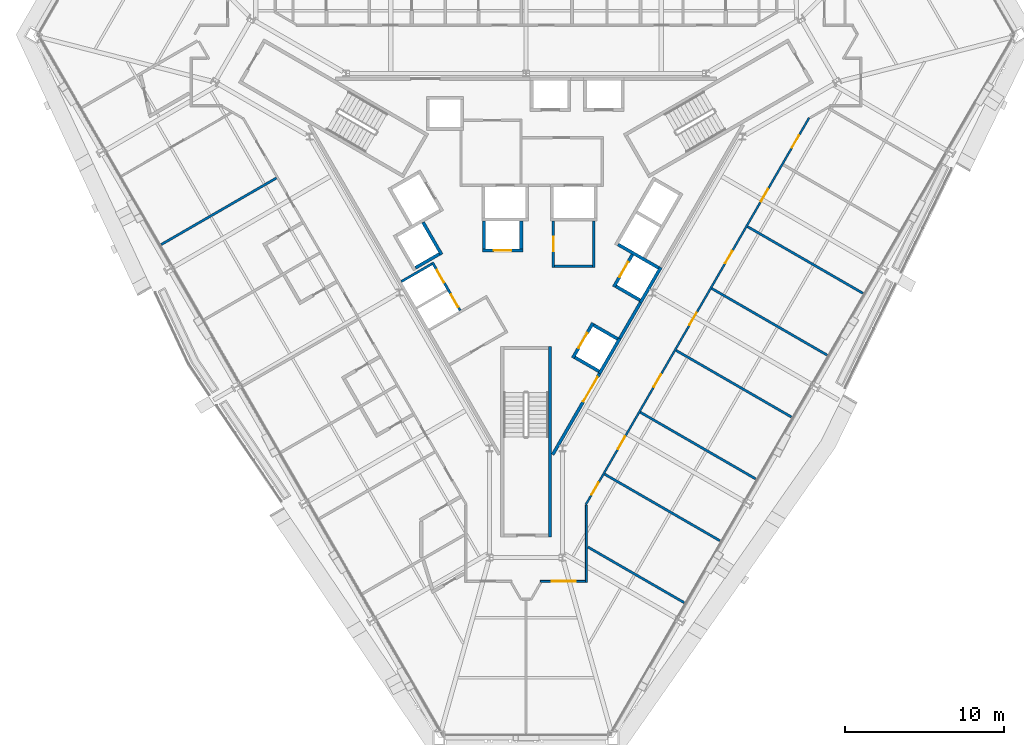
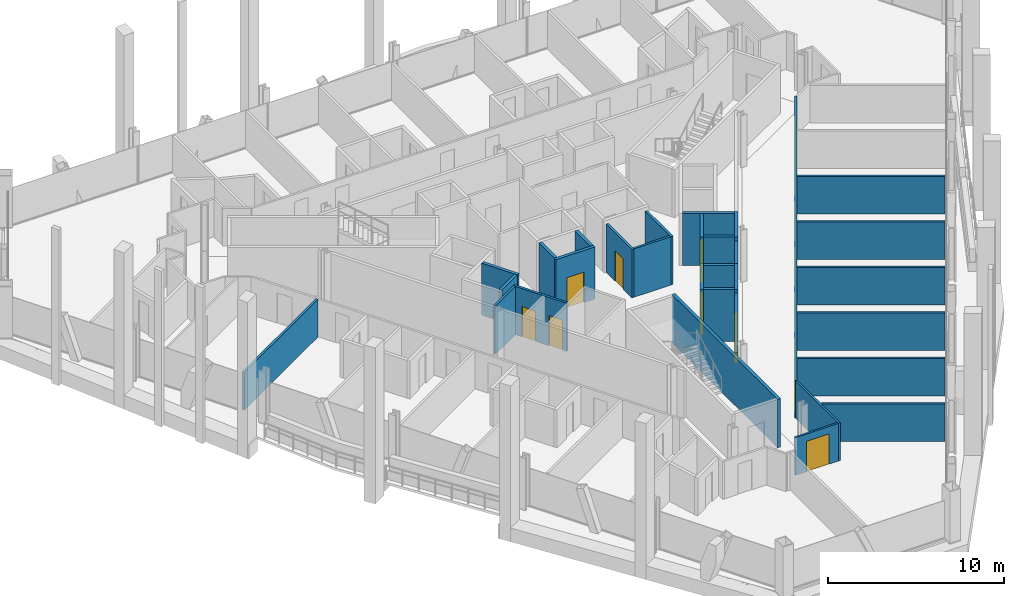
# One storey, part 12 of 18: 31 walls, 15 doors, 15 openings.
"""IFC4 building model written with IfcOpenShell, lengths in metres."""

from ifc_helpers import new_model, si_unit, direction, frame, frame_2d, origin, place, context, subcontext, project, spatial, rectangle, extrude, material, layer, layer_set, type_object, element, fill, save


model = new_model("IFC4")

# Units and contexts
model_context = context("Model", 3, precision=1e-05, world=origin(), true_north=direction((0.0, 1.0)))
body_context = subcontext(model_context, "Body", "Model", "MODEL_VIEW")
ifc_project = project(units=[si_unit("LENGTHUNIT", "METRE"), si_unit("AREAUNIT", "SQUARE_METRE"), si_unit("VOLUMEUNIT", "CUBIC_METRE"), si_unit("PLANEANGLEUNIT", "RADIAN"), si_unit("MASSUNIT", "GRAM", prefix="KILO")], contexts=[model_context])

# Site, building, storey
site_placement = place(None, origin())
site = spatial("IfcSite", under=ifc_project, at=site_placement, CompositionType="ELEMENT")
building_placement = place(site_placement, origin())
building = spatial("IfcBuilding", under=site, at=building_placement, Name="Verrane Prism Tower", CompositionType="ELEMENT")
storey_placement = place(building_placement, frame((0.0, 0.0, 47.60009765625)))
storey = spatial("IfcBuildingStorey", under=building, at=storey_placement, Name="L09", CompositionType="ELEMENT", Elevation=47.60009765625)

# Wall, opening, door
ifc_material_1 = material(Name="Gypsum board partition", Category="other")
ifc_layer_1 = layer(ifc_material_1, 0.199951171875)
ifc_layer_set_1 = layer_set([ifc_layer_1], Name="CW-200 core boundary wall 2 h")
wall_type_1 = type_object("IfcWallType", Name="CW-200 core boundary wall 2 h", PredefinedType="PARTITIONING", material=ifc_layer_set_1)
wall_1_placement = place(storey_placement, frame((1.677490234375, -14.814697265625, 0.0), z_axis=(0.0, 0.0, 1.0), x_axis=(0.49999445743, 0.866028603765, 0.0)))
wall_1 = element("IfcWall", 1, at=wall_1_placement, inside=storey, type_object=wall_type_1, Name="Core boundary wall CW3-003", PredefinedType="PARTITIONING", context=body_context, shape_type="SweptSolid", body=[
    extrude(rectangle(XDim=5.90478515625, YDim=0.199951171875, at=frame_2d((2.952392578125, 0.0))), origin(), (0.0, 0.0, 1.0), 3.349853515625),
])
opening_1_placement = place(wall_1_placement, frame((3.85498046875, 0.0, 0.0)))
opening_1 = element("IfcOpeningElement", 2, at=opening_1_placement, cuts=wall_1, Name="Opening D09517", PredefinedType="OPENING", context=body_context, shape_type="SweptSolid", body=[
    extrude(rectangle(XDim=1.800048828125, YDim=2.10009765625, at=frame_2d((0.89990234375, 1.050048828125))), frame((0.0, 0.10986328125, 0.0), z_axis=(0.0, -1.0, 0.0), x_axis=(1.0, 0.0, 0.0)), (0.0, 0.0, 1.0), 0.219970703125),
])
ifc_material_2 = material(Name="Timber veneered door leaf", Category="wood")
door_type_1 = type_object("IfcDoorType", Name="DR-1800x2100 FD60 double leaf lift lobby", OperationType="NOTDEFINED", PredefinedType="DOOR", material=ifc_material_2)
door_1_placement = place(opening_1_placement, origin())
door_1 = element("IfcDoor", 3, at=door_1_placement, inside=storey, type_object=door_type_1, Name="Lift lobby door D09517", OperationType="DOUBLE_DOOR_SINGLE_SWING", OverallHeight=2.10009765625, OverallWidth=1.800048828125, PredefinedType="DOOR", context=body_context, shape_type="SweptSolid", body=[
    extrude(rectangle(XDim=1.800048828125, YDim=2.10009765625, at=frame_2d((0.89990234375, 1.050048828125))), frame((0.0, 0.02490234375, 0.0), z_axis=(0.0, -1.0, 0.0), x_axis=(1.0, 0.0, 0.0)), (0.0, 0.0, 1.0), 0.050048828125),
])
fill(opening_1, door_1)

# Walls
wall_2_placement = place(storey_placement, frame((5.906005859375, -7.489990234375, 0.0), z_axis=(0.0, 0.0, 1.0), x_axis=(0.500252727967, 0.865879442048, 0.0)))
element("IfcWall", 4, at=wall_2_placement, inside=storey, type_object=wall_type_1, Name="Core boundary wall CW3-005", PredefinedType="PARTITIONING", context=body_context, shape_type="SweptSolid", body=[
    extrude(rectangle(XDim=2.616943359375, YDim=0.199951171875, at=frame_2d((1.30859375, 0.0))), origin(), (0.0, 0.0, 1.0), 3.349853515625),
])
ifc_material_3 = material(Name="Concrete C40/50", Category="concrete")
ifc_layer_2 = layer(ifc_material_3, 0.199951171875)
ifc_layer_set_2 = layer_set([ifc_layer_2], Name="CW-200 stair core wall concrete C40/50 3 h")
wall_type_2 = type_object("IfcWallType", Name="CW-200 stair core wall concrete C40/50 3 h", PredefinedType="PARTITIONING", material=ifc_layer_set_2)
wall_3_placement = place(storey_placement, frame((1.5, -8.0, 0.0), z_axis=(0.0, 0.0, 1.0), x_axis=(0.0, -1.0, 0.0)))
element("IfcWall", 5, at=wall_3_placement, inside=storey, type_object=wall_type_2, Name="Stair 3 enclosure wall", PredefinedType="PARTITIONING", context=body_context, shape_type="SweptSolid", body=[
    extrude(rectangle(XDim=12.0, YDim=0.199951171875, at=frame_2d((6.0, 0.0))), origin(), (0.0, 0.0, 1.0), 3.349853515625),
])

# Wall, opening, door
ifc_material_4 = material(Name="Gypsum board shaft wall assembly", Category="other")
ifc_layer_3 = layer(ifc_material_4, 0.199951171875)
ifc_layer_set_3 = layer_set([ifc_layer_3], Name="HW-200 lift shaft wall 2 h")
wall_type_3 = type_object("IfcWallType", Name="HW-200 lift shaft wall 2 h", PredefinedType="PARTITIONING", material=ifc_layer_set_3)
wall_4_placement = place(storey_placement, frame((-2.7548828125, -1.949951171875, 0.0), z_axis=(0.0, 0.0, 1.0), x_axis=(1.0, 0.0, 0.0)))
wall_4 = element("IfcWall", 6, at=wall_4_placement, inside=storey, type_object=wall_type_3, Name="Lift shaft wall", PredefinedType="PARTITIONING", context=body_context, shape_type="SweptSolid", body=[
    extrude(rectangle(XDim=2.5498046875, YDim=0.199951171875, at=frame_2d((1.27490234375, 0.0))), origin(), (0.0, 0.0, 1.0), 3.599853515625),
])
opening_2_placement = place(wall_4_placement, frame((0.72509765625, 0.0, 0.0)))
opening_2 = element("IfcOpeningElement", 7, at=opening_2_placement, cuts=wall_4, Name="Opening D09504", PredefinedType="OPENING", context=body_context, shape_type="SweptSolid", body=[
    extrude(rectangle(XDim=1.10009765625, YDim=2.10009765625, at=frame_2d((0.550048828125, 1.050048828125))), frame((0.0, 0.10986328125, 0.0), z_axis=(0.0, -1.0, 0.0), x_axis=(1.0, 0.0, 0.0)), (0.0, 0.0, 1.0), 0.219970703125),
])
ifc_material_5 = material(Name="Stainless steel sliding landing door", Category="steel")
door_type_2 = type_object("IfcDoorType", Name="LD-1100x2100 lift landing door FD90 sliding", OperationType="NOTDEFINED", PredefinedType="DOOR", material=ifc_material_5)
door_2_placement = place(opening_2_placement, origin())
door_2 = element("IfcDoor", 8, at=door_2_placement, inside=storey, type_object=door_type_2, Name="Bank A lift 2 landing door", OperationType="SLIDING_TO_RIGHT", OverallHeight=2.10009765625, OverallWidth=1.10009765625, PredefinedType="DOOR", context=body_context, shape_type="SweptSolid", body=[
    extrude(rectangle(XDim=1.10009765625, YDim=2.10009765625, at=frame_2d((0.550048828125, 1.050048828125))), frame((0.0, 0.02490234375, 0.0), z_axis=(0.0, -1.0, 0.0), x_axis=(1.0, 0.0, 0.0)), (0.0, 0.0, 1.0), 0.050048828125),
])
fill(opening_2, door_2)

# Walls
wall_5_placement = place(storey_placement, frame((-6.9697265625, -3.048095703125, 0.0), z_axis=(0.0, 0.0, 1.0), x_axis=(0.866036909293, 0.499980071345, 0.0)))
element("IfcWall", 9, at=wall_5_placement, inside=storey, type_object=wall_type_3, Name="Lift shaft wall", PredefinedType="PARTITIONING", context=body_context, shape_type="SweptSolid", body=[
    extrude(rectangle(XDim=1.75, YDim=0.199951171875, at=frame_2d((0.875, 0.0))), origin(), (0.0, 0.0, 1.0), 3.599853515625),
])
wall_6_placement = place(storey_placement, frame((4.63037109375, -9.69970703125, 0.0), z_axis=(0.0, 0.0, 1.0), x_axis=(0.500062241894, 0.865989465428, 0.0)))
element("IfcWall", 10, at=wall_6_placement, inside=storey, type_object=wall_type_3, Name="Lift shaft wall", PredefinedType="PARTITIONING", context=body_context, shape_type="SweptSolid", body=[
    extrude(rectangle(XDim=2.550048828125, YDim=0.199951171875, at=frame_2d((1.27490234375, 0.0))), origin(), (0.0, 0.0, 1.0), 3.599853515625),
])
wall_7_placement = place(storey_placement, frame((7.215576171875, -5.222412109375, 0.0), z_axis=(0.0, 0.0, 1.0), x_axis=(0.499990435942, 0.866030925526, 0.0)))
element("IfcWall", 11, at=wall_7_placement, inside=storey, type_object=wall_type_3, Name="Lift shaft wall", PredefinedType="PARTITIONING", context=body_context, shape_type="SweptSolid", body=[
    extrude(rectangle(XDim=2.5498046875, YDim=0.199951171875, at=frame_2d((1.27490234375, 0.0))), origin(), (0.0, 0.0, 1.0), 3.599853515625),
])

# Wall, opening, door
wall_8_placement = place(storey_placement, frame((2.941650390625, -8.724853515625, 0.0), z_axis=(0.0, 0.0, 1.0), x_axis=(0.500020783669, 0.866013403995, 0.0)))
wall_8 = element("IfcWall", 12, at=wall_8_placement, inside=storey, type_object=wall_type_3, Name="Lift shaft wall", PredefinedType="PARTITIONING", context=body_context, shape_type="SweptSolid", body=[
    extrude(rectangle(XDim=2.55029296875, YDim=0.199951171875, at=frame_2d((1.275146484375, 0.0))), origin(), (0.0, 0.0, 1.0), 3.599853515625),
])
opening_3_placement = place(wall_8_placement, frame((0.72509765625, 0.0, 0.0)))
opening_3 = element("IfcOpeningElement", 13, at=opening_3_placement, cuts=wall_8, Name="Opening D09506", PredefinedType="OPENING", context=body_context, shape_type="SweptSolid", body=[
    extrude(rectangle(XDim=1.10009765625, YDim=2.10009765625, at=frame_2d((0.550048828125, 1.050048828125))), frame((0.0, 0.10986328125, 0.0), z_axis=(0.0, -1.0, 0.0), x_axis=(1.0, 0.0, 0.0)), (0.0, 0.0, 1.0), 0.219970703125),
])
door_3_placement = place(opening_3_placement, origin())
door_3 = element("IfcDoor", 14, at=door_3_placement, inside=storey, type_object=door_type_2, Name="Bank A lift 4 landing door", OperationType="SLIDING_TO_RIGHT", OverallHeight=2.10009765625, OverallWidth=1.10009765625, PredefinedType="DOOR", context=body_context, shape_type="SweptSolid", body=[
    extrude(rectangle(XDim=1.10009765625, YDim=2.10009765625, at=frame_2d((0.550048828125, 1.050048828125))), frame((0.0, 0.02490234375, 0.0), z_axis=(0.0, -1.0, 0.0), x_axis=(1.0, 0.0, 0.0)), (0.0, 0.0, 1.0), 0.050048828125),
])
fill(opening_3, door_3)

wall_9_placement = place(storey_placement, frame((5.52685546875, -4.247314453125, 0.0), z_axis=(0.0, 0.0, 1.0), x_axis=(0.499938297808, 0.866061024631, 0.0)))
wall_9 = element("IfcWall", 15, at=wall_9_placement, inside=storey, type_object=wall_type_3, Name="Lift shaft wall", PredefinedType="PARTITIONING", context=body_context, shape_type="SweptSolid", body=[
    extrude(rectangle(XDim=2.349853515625, YDim=0.199951171875, at=frame_2d((1.1748046875, 0.0))), origin(), (0.0, 0.0, 1.0), 3.599853515625),
])
opening_4_placement = place(wall_9_placement, frame((0.72509765625, 0.0, 0.0)))
opening_4 = element("IfcOpeningElement", 16, at=opening_4_placement, cuts=wall_9, Name="Opening D09507", PredefinedType="OPENING", context=body_context, shape_type="SweptSolid", body=[
    extrude(rectangle(XDim=1.10009765625, YDim=2.10009765625, at=frame_2d((0.550048828125, 1.050048828125))), frame((0.0, 0.10986328125, 0.0), z_axis=(0.0, -1.0, 0.0), x_axis=(1.0, 0.0, 0.0)), (0.0, 0.0, 1.0), 0.219970703125),
])
door_4_placement = place(opening_4_placement, origin())
door_4 = element("IfcDoor", 17, at=door_4_placement, inside=storey, type_object=door_type_2, Name="Bank A lift 5 landing door", OperationType="SLIDING_TO_LEFT", OverallHeight=2.10009765625, OverallWidth=1.10009765625, PredefinedType="DOOR", context=body_context, shape_type="SweptSolid", body=[
    extrude(rectangle(XDim=1.10009765625, YDim=2.10009765625, at=frame_2d((0.550048828125, 1.050048828125))), frame((0.0, 0.02490234375, 0.0), z_axis=(0.0, -1.0, 0.0), x_axis=(1.0, 0.0, 0.0)), (0.0, 0.0, 1.0), 0.050048828125),
])
fill(opening_4, door_4)

# Walls
for number, where, z_axis, x_axis, name in (
    (18, (-0.304931640625, -1.85009765625, 0.0), (0.0, 0.0, 1.0), (0.0, 1.0, 0.0), "Lift shaft wall"),
    (19, (-2.655029296875, -1.85009765625, 0.0), (0.0, 0.0, 1.0), (0.0, 1.0, 0.0), "Lift shaft wall"),
):
    element("IfcWall", number, at=place(storey_placement, frame(where, z_axis=z_axis, x_axis=x_axis)), inside=storey, type_object=wall_type_3, Name=name, PredefinedType="PARTITIONING", context=body_context, shape_type="SweptSolid", body=[
        extrude(rectangle(XDim=1.75, YDim=0.199951171875, at=frame_2d((0.875, 0.0))), origin(), (0.0, 0.0, 1.0), 3.599853515625),
    ])
wall_10_placement = place(storey_placement, frame((-5.317626953125, -2.209716796875, 0.0), z_axis=(0.0, 0.0, 1.0), x_axis=(-0.499938297808, 0.866061024631, 0.0)))
element("IfcWall", 20, at=wall_10_placement, inside=storey, type_object=wall_type_3, Name="Lift shaft wall", PredefinedType="PARTITIONING", context=body_context, shape_type="SweptSolid", body=[
    extrude(rectangle(XDim=2.349853515625, YDim=0.199951171875, at=frame_2d((1.1748046875, 0.0))), origin(), (0.0, 0.0, 1.0), 3.599853515625),
])
wall_11_placement = place(storey_placement, frame((8.35400390625, -3.050537109375, 0.0), z_axis=(0.0, 0.0, 1.0), x_axis=(-0.866060182126, 0.499939757307, 0.0)))
element("IfcWall", 21, at=wall_11_placement, inside=storey, type_object=wall_type_3, Name="Lift shaft wall", PredefinedType="PARTITIONING", context=body_context, shape_type="SweptSolid", body=[
    extrude(rectangle(XDim=2.949951171875, YDim=0.199951171875, at=frame_2d((1.47509765625, 0.0))), origin(), (0.0, 0.0, 1.0), 3.599853515625),
])
wall_12_placement = place(storey_placement, frame((7.178955078125, -5.085693359375, 0.0), z_axis=(0.0, 0.0, 1.0), x_axis=(-0.866036909293, 0.499980071345, 0.0)))
element("IfcWall", 22, at=wall_12_placement, inside=storey, type_object=wall_type_3, Name="Lift shaft wall", PredefinedType="PARTITIONING", context=body_context, shape_type="SweptSolid", body=[
    extrude(rectangle(XDim=1.75, YDim=0.199951171875, at=frame_2d((0.875, 0.0))), origin(), (0.0, 0.0, 1.0), 3.599853515625),
])
wall_13_placement = place(storey_placement, frame((5.768798828125, -7.528076171875, 0.0), z_axis=(0.0, 0.0, 1.0), x_axis=(-0.866002029911, 0.500040482552, 0.0)))
element("IfcWall", 23, at=wall_13_placement, inside=storey, type_object=wall_type_3, Name="Lift shaft wall", PredefinedType="PARTITIONING", context=body_context, shape_type="SweptSolid", body=[
    extrude(rectangle(XDim=1.749755859375, YDim=0.199951171875, at=frame_2d((0.875, 0.0))), origin(), (0.0, 0.0, 1.0), 3.599853515625),
])
wall_14_placement = place(storey_placement, frame((4.593994140625, -9.563232421875, 0.0), z_axis=(0.0, 0.0, 1.0), x_axis=(-0.866036909293, 0.499980071345, 0.0)))
element("IfcWall", 24, at=wall_14_placement, inside=storey, type_object=wall_type_3, Name="Lift shaft wall", PredefinedType="PARTITIONING", context=body_context, shape_type="SweptSolid", body=[
    extrude(rectangle(XDim=1.75, YDim=0.199951171875, at=frame_2d((0.875, 0.0))), origin(), (0.0, 0.0, 1.0), 3.599853515625),
])

# Wall, opening, door
ifc_material_6 = material(Name="Gypsum board partition", Category="other")
ifc_layer_4 = layer(ifc_material_6, 0.125)
ifc_layer_set_4 = layer_set([ifc_layer_4], Name="PW-125 corridor wall 1 h")
wall_type_4 = type_object("IfcWallType", Name="PW-125 corridor wall 1 h", PredefinedType="PARTITIONING", material=ifc_layer_set_4)
wall_15_placement = place(storey_placement, frame((3.73193359375, -22.797119140625, 0.0), z_axis=(0.0, 0.0, 1.0), x_axis=(-1.0, 0.0, 0.0)))
wall_15 = element("IfcWall", 25, at=wall_15_placement, inside=storey, type_object=wall_type_4, Name="Corridor wall 054", PredefinedType="PARTITIONING", context=body_context, shape_type="SweptSolid", body=[
    extrude(rectangle(XDim=2.821533203125, YDim=0.125, at=frame_2d((1.41064453125, 0.0))), origin(), (0.0, 0.0, 1.0), 2.61279296875),
])
opening_5_placement = place(wall_15_placement, frame((0.60888671875, 0.0, 0.0)))
opening_5 = element("IfcOpeningElement", 26, at=opening_5_placement, cuts=wall_15, Name="Opening D09001", PredefinedType="OPENING", context=body_context, shape_type="SweptSolid", body=[
    extrude(rectangle(XDim=1.5, YDim=2.10009765625, at=frame_2d((0.75, 1.050048828125))), frame((0.0, 0.072509765625, 0.0), z_axis=(0.0, -1.0, 0.0), x_axis=(1.0, 0.0, 0.0)), (0.0, 0.0, 1.0), 0.14501953125),
])
ifc_material_7 = material(Name="Timber veneered door leaf", Category="wood")
door_type_3 = type_object("IfcDoorType", Name="DR-1500x2100 FD20 double leaf public", OperationType="NOTDEFINED", PredefinedType="DOOR", material=ifc_material_7)
door_5_placement = place(opening_5_placement, origin())
door_5 = element("IfcDoor", 27, at=door_5_placement, inside=storey, type_object=door_type_3, Name="Spa Reception door", OperationType="DOUBLE_DOOR_SINGLE_SWING", OverallHeight=2.10009765625, OverallWidth=1.5, PredefinedType="DOOR", context=body_context, shape_type="SweptSolid", body=[
    extrude(rectangle(XDim=1.5, YDim=2.10009765625, at=frame_2d((0.75, 1.050048828125))), frame((0.0, 0.02490234375, 0.0), z_axis=(0.0, -1.0, 0.0), x_axis=(1.0, 0.0, 0.0)), (0.0, 0.0, 1.0), 0.050048828125),
])
fill(opening_5, door_5)

# Wall
wall_16_placement = place(storey_placement, frame((3.797119140625, -22.859619140625, 0.0), z_axis=(0.0, 0.0, 1.0), x_axis=(0.0, 1.0, 0.0)))
element("IfcWall", 28, at=wall_16_placement, inside=storey, type_object=wall_type_4, Name="Corridor wall 057", PredefinedType="PARTITIONING", context=body_context, shape_type="SweptSolid", body=[
    extrude(rectangle(XDim=4.86962890625, YDim=0.125, at=frame_2d((2.434814453125, 0.0))), origin(), (0.0, 0.0, 1.0), 2.61279296875),
])

# Wall, openings, doors
wall_17_placement = place(storey_placement, frame((17.833251953125, 6.406005859375, 0.0), z_axis=(0.0, 0.0, 1.0), x_axis=(-0.500002884005, -0.866023738697, 0.0)))
wall_17 = element("IfcWall", 29, at=wall_17_placement, inside=storey, type_object=wall_type_4, Name="Corridor wall 059", PredefinedType="PARTITIONING", context=body_context, shape_type="SweptSolid", body=[
    extrude(rectangle(XDim=28.134521484375, YDim=0.125, at=frame_2d((14.0673828125, 0.0))), origin(), (0.0, 0.0, 1.0), 2.61279296875),
])
opening_6_placement = place(wall_17_placement, frame((26.522216796875, 0.0, 0.0)))
opening_6 = element("IfcOpeningElement", 30, at=opening_6_placement, cuts=wall_17, Name="Opening D09002", PredefinedType="OPENING", context=body_context, shape_type="SweptSolid", body=[
    extrude(rectangle(XDim=0.89990234375, YDim=2.10009765625, at=frame_2d((0.449951171875, 1.050048828125))), frame((0.0, 0.072509765625, 0.0), z_axis=(0.0, -1.0, 0.0), x_axis=(1.0, 0.0, 0.0)), (0.0, 0.0, 1.0), 0.14501953125),
])
opening_7_placement = place(wall_17_placement, frame((23.18408203125, 0.0, 0.0)))
opening_7 = element("IfcOpeningElement", 31, at=opening_7_placement, cuts=wall_17, Name="Opening D09003", PredefinedType="OPENING", context=body_context, shape_type="SweptSolid", body=[
    extrude(rectangle(XDim=0.89990234375, YDim=2.10009765625, at=frame_2d((0.449951171875, 1.050048828125))), frame((0.0, 0.072509765625, 0.0), z_axis=(0.0, -1.0, 0.0), x_axis=(1.0, 0.0, 0.0)), (0.0, 0.0, 1.0), 0.14501953125),
])
opening_8_placement = place(wall_17_placement, frame((18.68310546875, 0.0, 0.0)))
opening_8 = element("IfcOpeningElement", 32, at=opening_8_placement, cuts=wall_17, Name="Opening D09004", PredefinedType="OPENING", context=body_context, shape_type="SweptSolid", body=[
    extrude(rectangle(XDim=0.89990234375, YDim=2.10009765625, at=frame_2d((0.449951171875, 1.050048828125))), frame((0.0, 0.072509765625, 0.0), z_axis=(0.0, -1.0, 0.0), x_axis=(1.0, 0.0, 0.0)), (0.0, 0.0, 1.0), 0.14501953125),
])
opening_9_placement = place(wall_17_placement, frame((14.18212890625, 0.0, 0.0)))
opening_9 = element("IfcOpeningElement", 33, at=opening_9_placement, cuts=wall_17, Name="Opening D09005", PredefinedType="OPENING", context=body_context, shape_type="SweptSolid", body=[
    extrude(rectangle(XDim=0.89990234375, YDim=2.10009765625, at=frame_2d((0.449951171875, 1.050048828125))), frame((0.0, 0.072509765625, 0.0), z_axis=(0.0, -1.0, 0.0), x_axis=(1.0, 0.0, 0.0)), (0.0, 0.0, 1.0), 0.14501953125),
])
opening_10_placement = place(wall_17_placement, frame((9.68115234375, 0.0, 0.0)))
opening_10 = element("IfcOpeningElement", 34, at=opening_10_placement, cuts=wall_17, Name="Opening D09006", PredefinedType="OPENING", context=body_context, shape_type="SweptSolid", body=[
    extrude(rectangle(XDim=0.89990234375, YDim=2.10009765625, at=frame_2d((0.449951171875, 1.050048828125))), frame((0.0, 0.072509765625, 0.0), z_axis=(0.0, -1.0, 0.0), x_axis=(1.0, 0.0, 0.0)), (0.0, 0.0, 1.0), 0.14501953125),
])
opening_11_placement = place(wall_17_placement, frame((5.18017578125, 0.0, 0.0)))
opening_11 = element("IfcOpeningElement", 35, at=opening_11_placement, cuts=wall_17, Name="Opening D09007", PredefinedType="OPENING", context=body_context, shape_type="SweptSolid", body=[
    extrude(rectangle(XDim=0.89990234375, YDim=2.10009765625, at=frame_2d((0.449951171875, 1.050048828125))), frame((0.0, 0.072509765625, 0.0), z_axis=(0.0, -1.0, 0.0), x_axis=(1.0, 0.0, 0.0)), (0.0, 0.0, 1.0), 0.14501953125),
])
opening_12_placement = place(wall_17_placement, frame((1.278076171875, 0.0, 0.0)))
opening_12 = element("IfcOpeningElement", 36, at=opening_12_placement, cuts=wall_17, Name="Opening D09008", PredefinedType="OPENING", context=body_context, shape_type="SweptSolid", body=[
    extrude(rectangle(XDim=0.89990234375, YDim=2.10009765625, at=frame_2d((0.449951171875, 1.050048828125))), frame((0.0, 0.072509765625, 0.0), z_axis=(0.0, -1.0, 0.0), x_axis=(1.0, 0.0, 0.0)), (0.0, 0.0, 1.0), 0.14501953125),
])
ifc_material_8 = material(Name="Timber veneered door leaf", Category="wood")
door_type_4 = type_object("IfcDoorType", Name="DR-900x2100 single leaf unit", OperationType="NOTDEFINED", PredefinedType="DOOR", material=ifc_material_8)
door_6_placement = place(opening_6_placement, origin())
door_6 = element("IfcDoor", 37, at=door_6_placement, inside=storey, type_object=door_type_4, Name="Study door", OperationType="SINGLE_SWING_LEFT", OverallHeight=2.10009765625, OverallWidth=0.89990234375, PredefinedType="DOOR", context=body_context, shape_type="SweptSolid", body=[
    extrude(rectangle(XDim=0.89990234375, YDim=2.10009765625, at=frame_2d((0.449951171875, 1.050048828125))), frame((0.0, 0.02490234375, 0.0), z_axis=(0.0, -1.0, 0.0), x_axis=(1.0, 0.0, 0.0)), (0.0, 0.0, 1.0), 0.050048828125),
])
fill(opening_6, door_6)
door_7_placement = place(opening_7_placement, origin())
door_7 = element("IfcDoor", 38, at=door_7_placement, inside=storey, type_object=door_type_4, Name="Study door", OperationType="SINGLE_SWING_RIGHT", OverallHeight=2.10009765625, OverallWidth=0.89990234375, PredefinedType="DOOR", context=body_context, shape_type="SweptSolid", body=[
    extrude(rectangle(XDim=0.89990234375, YDim=2.10009765625, at=frame_2d((0.449951171875, 1.050048828125))), frame((0.0, 0.02490234375, 0.0), z_axis=(0.0, -1.0, 0.0), x_axis=(1.0, 0.0, 0.0)), (0.0, 0.0, 1.0), 0.050048828125),
])
fill(opening_7, door_7)
door_8_placement = place(opening_8_placement, origin())
door_8 = element("IfcDoor", 39, at=door_8_placement, inside=storey, type_object=door_type_4, Name="Study door", OperationType="SINGLE_SWING_LEFT", OverallHeight=2.10009765625, OverallWidth=0.89990234375, PredefinedType="DOOR", context=body_context, shape_type="SweptSolid", body=[
    extrude(rectangle(XDim=0.89990234375, YDim=2.10009765625, at=frame_2d((0.449951171875, 1.050048828125))), frame((0.0, 0.02490234375, 0.0), z_axis=(0.0, -1.0, 0.0), x_axis=(1.0, 0.0, 0.0)), (0.0, 0.0, 1.0), 0.050048828125),
])
fill(opening_8, door_8)
door_9_placement = place(opening_9_placement, origin())
door_9 = element("IfcDoor", 40, at=door_9_placement, inside=storey, type_object=door_type_4, Name="Study door", OperationType="SINGLE_SWING_RIGHT", OverallHeight=2.10009765625, OverallWidth=0.89990234375, PredefinedType="DOOR", context=body_context, shape_type="SweptSolid", body=[
    extrude(rectangle(XDim=0.89990234375, YDim=2.10009765625, at=frame_2d((0.449951171875, 1.050048828125))), frame((0.0, 0.02490234375, 0.0), z_axis=(0.0, -1.0, 0.0), x_axis=(1.0, 0.0, 0.0)), (0.0, 0.0, 1.0), 0.050048828125),
])
fill(opening_9, door_9)
door_10_placement = place(opening_10_placement, origin())
door_10 = element("IfcDoor", 41, at=door_10_placement, inside=storey, type_object=door_type_4, Name="Study door", OperationType="SINGLE_SWING_LEFT", OverallHeight=2.10009765625, OverallWidth=0.89990234375, PredefinedType="DOOR", context=body_context, shape_type="SweptSolid", body=[
    extrude(rectangle(XDim=0.89990234375, YDim=2.10009765625, at=frame_2d((0.449951171875, 1.050048828125))), frame((0.0, 0.02490234375, 0.0), z_axis=(0.0, -1.0, 0.0), x_axis=(1.0, 0.0, 0.0)), (0.0, 0.0, 1.0), 0.050048828125),
])
fill(opening_10, door_10)
door_11_placement = place(opening_11_placement, origin())
door_11 = element("IfcDoor", 42, at=door_11_placement, inside=storey, type_object=door_type_4, Name="Study door", OperationType="SINGLE_SWING_RIGHT", OverallHeight=2.10009765625, OverallWidth=0.89990234375, PredefinedType="DOOR", context=body_context, shape_type="SweptSolid", body=[
    extrude(rectangle(XDim=0.89990234375, YDim=2.10009765625, at=frame_2d((0.449951171875, 1.050048828125))), frame((0.0, 0.02490234375, 0.0), z_axis=(0.0, -1.0, 0.0), x_axis=(1.0, 0.0, 0.0)), (0.0, 0.0, 1.0), 0.050048828125),
])
fill(opening_11, door_11)
door_12_placement = place(opening_12_placement, origin())
door_12 = element("IfcDoor", 43, at=door_12_placement, inside=storey, type_object=door_type_4, Name="Study door", OperationType="SINGLE_SWING_LEFT", OverallHeight=2.10009765625, OverallWidth=0.89990234375, PredefinedType="DOOR", context=body_context, shape_type="SweptSolid", body=[
    extrude(rectangle(XDim=0.89990234375, YDim=2.10009765625, at=frame_2d((0.449951171875, 1.050048828125))), frame((0.0, 0.02490234375, 0.0), z_axis=(0.0, -1.0, 0.0), x_axis=(1.0, 0.0, 0.0)), (0.0, 0.0, 1.0), 0.050048828125),
])
fill(opening_12, door_12)

# Walls
ifc_material_9 = material(Name="Gypsum board partition", Category="other")
ifc_layer_5 = layer(ifc_material_9, 0.14990234375)
ifc_layer_set_5 = layer_set([ifc_layer_5], Name="PW-150 demising wall 1 h")
wall_type_5 = type_object("IfcWallType", Name="PW-150 demising wall 1 h", PredefinedType="PARTITIONING", material=ifc_layer_set_5)
wall_18_placement = place(storey_placement, frame((-22.983642578125, -1.580810546875, 0.0), z_axis=(0.0, 0.0, 1.0), x_axis=(0.866040157966, 0.499974444137, 0.0)))
element("IfcWall", 44, at=wall_18_placement, inside=storey, type_object=wall_type_5, Name="Demising wall 005", PredefinedType="PARTITIONING", context=body_context, shape_type="SweptSolid", body=[
    extrude(rectangle(XDim=8.38671875, YDim=0.14990234375, at=frame_2d((4.193359375, 0.0))), origin(), (0.0, 0.0, 1.0), 2.61279296875),
])
wall_19_placement = place(storey_placement, frame((3.89697265625, -20.634765625, 0.0), z_axis=(0.0, 0.0, 1.0), x_axis=(0.866031150847, -0.499990045664, 0.0)))
element("IfcWall", 45, at=wall_19_placement, inside=storey, type_object=wall_type_5, Name="Demising wall 058", PredefinedType="PARTITIONING", context=body_context, shape_type="SweptSolid", body=[
    extrude(rectangle(XDim=7.002685546875, YDim=0.14990234375, at=frame_2d((3.50146484375, 0.0))), origin(), (0.0, 0.0, 1.0), 2.61279296875),
])
wall_20_placement = place(storey_placement, frame((4.949462890625, -16.043701171875, 0.0), z_axis=(0.0, 0.0, 1.0), x_axis=(0.866040157966, -0.499974444137, 0.0)))
element("IfcWall", 46, at=wall_20_placement, inside=storey, type_object=wall_type_5, Name="Demising wall 060", PredefinedType="PARTITIONING", context=body_context, shape_type="SweptSolid", body=[
    extrude(rectangle(XDim=8.38671875, YDim=0.14990234375, at=frame_2d((4.193359375, 0.0))), origin(), (0.0, 0.0, 1.0), 2.61279296875),
])
wall_21_placement = place(storey_placement, frame((7.196044921875, -12.143310546875, 0.0), z_axis=(0.0, 0.0, 1.0), x_axis=(0.866010672798, -0.500025513949, 0.0)))
element("IfcWall", 47, at=wall_21_placement, inside=storey, type_object=wall_type_5, Name="Demising wall 063", PredefinedType="PARTITIONING", context=body_context, shape_type="SweptSolid", body=[
    extrude(rectangle(XDim=8.39111328125, YDim=0.14990234375, at=frame_2d((4.195556640625, 0.0))), origin(), (0.0, 0.0, 1.0), 2.61279296875),
])
wall_22_placement = place(storey_placement, frame((9.450439453125, -8.247802734375, 0.0), z_axis=(0.0, 0.0, 1.0), x_axis=(0.866040157966, -0.499974444137, 0.0)))
element("IfcWall", 48, at=wall_22_placement, inside=storey, type_object=wall_type_5, Name="Demising wall 065", PredefinedType="PARTITIONING", context=body_context, shape_type="SweptSolid", body=[
    extrude(rectangle(XDim=8.38671875, YDim=0.14990234375, at=frame_2d((4.193359375, 0.0))), origin(), (0.0, 0.0, 1.0), 2.61279296875),
])
wall_23_placement = place(storey_placement, frame((11.697021484375, -4.34716796875, 0.0), z_axis=(0.0, 0.0, 1.0), x_axis=(0.866005348532, -0.500034735108, 0.0)))
element("IfcWall", 49, at=wall_23_placement, inside=storey, type_object=wall_type_5, Name="Demising wall 067", PredefinedType="PARTITIONING", context=body_context, shape_type="SweptSolid", body=[
    extrude(rectangle(XDim=8.3916015625, YDim=0.14990234375, at=frame_2d((4.19580078125, 0.0))), origin(), (0.0, 0.0, 1.0), 2.61279296875),
])
wall_24_placement = place(storey_placement, frame((13.951416015625, -0.45166015625, 0.0), z_axis=(0.0, 0.0, 1.0), x_axis=(0.866027553047, -0.499996277349, 0.0)))
element("IfcWall", 50, at=wall_24_placement, inside=storey, type_object=wall_type_5, Name="Demising wall 070", PredefinedType="PARTITIONING", context=body_context, shape_type="SweptSolid", body=[
    extrude(rectangle(XDim=8.38671875, YDim=0.14990234375, at=frame_2d((4.193359375, 0.0))), origin(), (0.0, 0.0, 1.0), 2.61279296875),
])
ifc_material_10 = material(Name="Gypsum board partition", Category="other")
ifc_layer_6 = layer(ifc_material_10, 0.14990234375)
ifc_layer_set_6 = layer_set([ifc_layer_6], Name="RS-150 riser enclosure wall 1 h")
wall_type_6 = type_object("IfcWallType", Name="RS-150 riser enclosure wall 1 h", PredefinedType="PARTITIONING", material=ifc_layer_set_6)
wall_25_placement = place(storey_placement, frame((-7.8564453125, -3.912109375, 0.0), z_axis=(0.0, 0.0, 1.0), x_axis=(0.865971748, 0.500092923031, 0.0)))
element("IfcWall", 51, at=wall_25_placement, inside=storey, type_object=wall_type_6, Name="Riser wall RS3-001", PredefinedType="PARTITIONING", context=body_context, shape_type="SweptSolid", body=[
    extrude(rectangle(XDim=2.224609375, YDim=0.14990234375, at=frame_2d((1.1123046875, 0.0))), origin(), (0.0, 0.0, 1.0), 3.349853515625),
])

# Wall, openings, doors
wall_26_placement = place(storey_placement, frame((-4.152099609375, -5.728759765625, 0.0), z_axis=(0.0, 0.0, 1.0), x_axis=(-0.500024287448, 0.866011380966, 0.0)))
wall_26 = element("IfcWall", 52, at=wall_26_placement, inside=storey, type_object=wall_type_6, Name="Riser wall RS3-004", PredefinedType="PARTITIONING", context=body_context, shape_type="SweptSolid", body=[
    extrude(rectangle(XDim=3.500732421875, YDim=0.14990234375, at=frame_2d((1.75048828125, 0.0))), origin(), (0.0, 0.0, 1.0), 3.349853515625),
])
opening_13_placement = place(wall_26_placement, frame((2.025634765625, 0.0, 0.0)))
opening_13 = element("IfcOpeningElement", 53, at=opening_13_placement, cuts=wall_26, Name="Opening D09512", PredefinedType="OPENING", context=body_context, shape_type="SweptSolid", body=[
    extrude(rectangle(XDim=0.89990234375, YDim=2.10009765625, at=frame_2d((0.449951171875, 1.050048828125))), frame((0.0, 0.0849609375, 0.0), z_axis=(0.0, -1.0, 0.0), x_axis=(1.0, 0.0, 0.0)), (0.0, 0.0, 1.0), 0.169921875),
])
opening_14_placement = place(wall_26_placement, frame((0.247802734375, 0.0, 0.0)))
opening_14 = element("IfcOpeningElement", 54, at=opening_14_placement, cuts=wall_26, Name="Opening D09513", PredefinedType="OPENING", context=body_context, shape_type="SweptSolid", body=[
    extrude(rectangle(XDim=0.89990234375, YDim=2.10009765625, at=frame_2d((0.449951171875, 1.050048828125))), frame((0.0, 0.0849609375, 0.0), z_axis=(0.0, -1.0, 0.0), x_axis=(1.0, 0.0, 0.0)), (0.0, 0.0, 1.0), 0.169921875),
])
ifc_material_11 = material(Name="Timber veneered door leaf", Category="wood")
door_type_5 = type_object("IfcDoorType", Name="DR-900x2100 FD60 single leaf riser", OperationType="NOTDEFINED", PredefinedType="DOOR", material=ifc_material_11)
door_13_placement = place(opening_13_placement, origin())
door_13 = element("IfcDoor", 55, at=door_13_placement, inside=storey, type_object=door_type_5, Name="Riser door D09512", OperationType="SINGLE_SWING_RIGHT", OverallHeight=2.10009765625, OverallWidth=0.89990234375, PredefinedType="DOOR", context=body_context, shape_type="SweptSolid", body=[
    extrude(rectangle(XDim=0.89990234375, YDim=2.10009765625, at=frame_2d((0.449951171875, 1.050048828125))), frame((0.0, 0.02490234375, 0.0), z_axis=(0.0, -1.0, 0.0), x_axis=(1.0, 0.0, 0.0)), (0.0, 0.0, 1.0), 0.050048828125),
])
fill(opening_13, door_13)
door_14_placement = place(opening_14_placement, origin())
door_14 = element("IfcDoor", 56, at=door_14_placement, inside=storey, type_object=door_type_5, Name="Riser door D09513", OperationType="SINGLE_SWING_LEFT", OverallHeight=2.10009765625, OverallWidth=0.89990234375, PredefinedType="DOOR", context=body_context, shape_type="SweptSolid", body=[
    extrude(rectangle(XDim=0.89990234375, YDim=2.10009765625, at=frame_2d((0.449951171875, 1.050048828125))), frame((0.0, 0.02490234375, 0.0), z_axis=(0.0, -1.0, 0.0), x_axis=(1.0, 0.0, 0.0)), (0.0, 0.0, 1.0), 0.050048828125),
])
fill(opening_14, door_14)

# Wall, opening, door
wall_27_placement = place(storey_placement, frame((1.72509765625, -0.10205078125, 0.0), z_axis=(0.0, 0.0, 1.0), x_axis=(0.0, -1.0, 0.0)))
wall_27 = element("IfcWall", 57, at=wall_27_placement, inside=storey, type_object=wall_type_6, Name="Riser wall RS3-007", PredefinedType="PARTITIONING", context=body_context, shape_type="SweptSolid", body=[
    extrude(rectangle(XDim=2.9228515625, YDim=0.14990234375, at=frame_2d((1.46142578125, 0.0))), origin(), (0.0, 0.0, 1.0), 3.349853515625),
])
opening_15_placement = place(wall_27_placement, frame((0.998046875, 0.0, 0.0)))
opening_15 = element("IfcOpeningElement", 58, at=opening_15_placement, cuts=wall_27, Name="Opening D09518", PredefinedType="OPENING", context=body_context, shape_type="SweptSolid", body=[
    extrude(rectangle(XDim=0.89990234375, YDim=2.10009765625, at=frame_2d((0.449951171875, 1.050048828125))), frame((0.0, 0.0849609375, 0.0), z_axis=(0.0, -1.0, 0.0), x_axis=(1.0, 0.0, 0.0)), (0.0, 0.0, 1.0), 0.169921875),
])
ifc_material_12 = material(Name="Timber veneered door leaf", Category="wood")
door_type_6 = type_object("IfcDoorType", Name="DR-900x2100 FD20 single leaf store", OperationType="NOTDEFINED", PredefinedType="DOOR", material=ifc_material_12)
door_15_placement = place(opening_15_placement, origin())
door_15 = element("IfcDoor", 59, at=door_15_placement, inside=storey, type_object=door_type_6, Name="Room door D09518", OperationType="SINGLE_SWING_LEFT", OverallHeight=2.10009765625, OverallWidth=0.89990234375, PredefinedType="DOOR", context=body_context, shape_type="SweptSolid", body=[
    extrude(rectangle(XDim=0.89990234375, YDim=2.10009765625, at=frame_2d((0.449951171875, 1.050048828125))), frame((0.0, 0.02490234375, 0.0), z_axis=(0.0, -1.0, 0.0), x_axis=(1.0, 0.0, 0.0)), (0.0, 0.0, 1.0), 0.050048828125),
])
fill(opening_15, door_15)

# Walls
wall_28_placement = place(storey_placement, frame((1.800048828125, -2.949951171875, 0.0), z_axis=(0.0, 0.0, 1.0), x_axis=(1.0, 0.0, 0.0)))
element("IfcWall", 60, at=wall_28_placement, inside=storey, type_object=wall_type_6, Name="Riser wall RS3-008", PredefinedType="PARTITIONING", context=body_context, shape_type="SweptSolid", body=[
    extrude(rectangle(XDim=2.39990234375, YDim=0.14990234375, at=frame_2d((1.199951171875, 0.0))), origin(), (0.0, 0.0, 1.0), 3.349853515625),
])
wall_29_placement = place(storey_placement, frame((4.27490234375, -3.02490234375, 0.0), z_axis=(0.0, 0.0, 1.0), x_axis=(0.0, 1.0, 0.0)))
element("IfcWall", 61, at=wall_29_placement, inside=storey, type_object=wall_type_6, Name="Riser wall RS3-009", PredefinedType="PARTITIONING", context=body_context, shape_type="SweptSolid", body=[
    extrude(rectangle(XDim=2.9228515625, YDim=0.14990234375, at=frame_2d((1.46142578125, 0.0))), origin(), (0.0, 0.0, 1.0), 3.349853515625),
])

save(model, "model.ifc")
